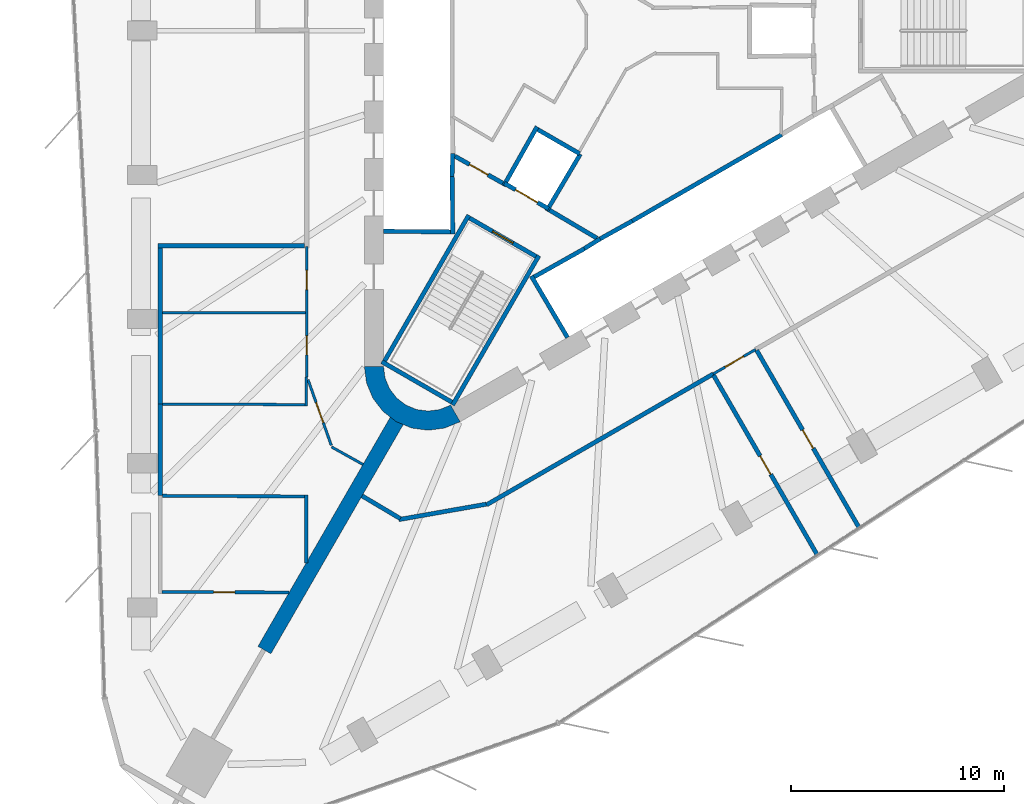
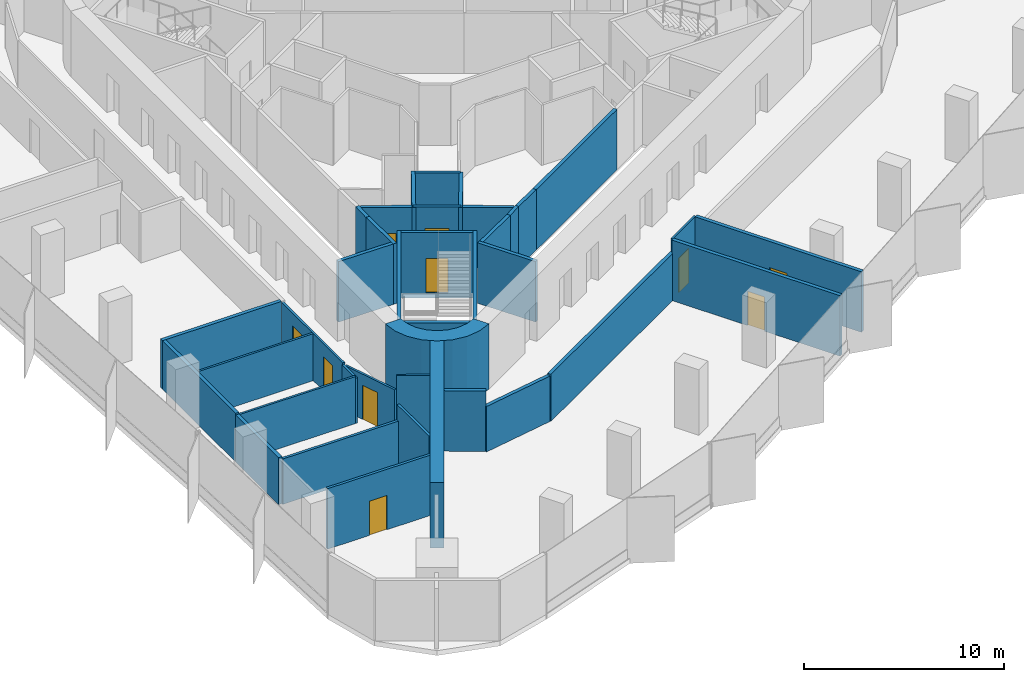
# One storey, part 8 of 13: 38 walls, 10 doors, 10 openings.
"""IFC4 building model written with IfcOpenShell, lengths in metres."""

from ifc_helpers import new_model, si_unit, direction, frame, frame_2d, origin, place, context, subcontext, project, spatial, polyline, rectangle, outline, extrude, material, layer, layer_set, type_object, element, fill, save


model = new_model("IFC4")

# Units and contexts
model_context = context("Model", 3, precision=1e-05, world=origin(), true_north=direction((0.0, 1.0)))
body_context = subcontext(model_context, "Body", "Model", "MODEL_VIEW")
ifc_project = project(units=[si_unit("LENGTHUNIT", "METRE"), si_unit("AREAUNIT", "SQUARE_METRE"), si_unit("VOLUMEUNIT", "CUBIC_METRE"), si_unit("PLANEANGLEUNIT", "RADIAN"), si_unit("MASSUNIT", "GRAM", prefix="KILO")], contexts=[model_context])

# Site, building, storey
site_placement = place(None, origin())
site = spatial("IfcSite", under=ifc_project, at=site_placement, CompositionType="ELEMENT")
building_placement = place(site_placement, origin())
building = spatial("IfcBuilding", under=site, at=building_placement, Name="Tanit Gate Tower", CompositionType="ELEMENT")
storey_placement = place(building_placement, frame((0.0, 0.0, 169.199951171875)))
storey = spatial("IfcBuildingStorey", under=building, at=storey_placement, Name="L36", CompositionType="ELEMENT", Elevation=169.199951171875)

# Walls
ifc_material_1 = material(Name="Concrete C50/60", Category="concrete")
ifc_layer_1 = layer(ifc_material_1, 0.699951171875)
ifc_layer_set_1 = layer_set([ifc_layer_1], Name="BUTTRESS FIN 700 C50/60")
wall_type_1 = type_object("IfcWallType", Name="BUTTRESS FIN 700 C50/60", PredefinedType="SHEAR", material=ifc_layer_set_1)
wall_1_placement = place(storey_placement, frame((-10.574951171875, -18.31640625, 0.0), z_axis=(0.0, 0.0, 1.0), x_axis=(-0.499995558535, -0.86602796805, 0.0)))
element("IfcWall", 1, at=wall_1_placement, inside=storey, type_object=wall_type_1, Name="BUTTRESS FIN", PredefinedType="SHEAR", context=body_context, shape_type="SweptSolid", body=[
    extrude(rectangle(XDim=12.4326171875, YDim=0.699951171875, at=frame_2d((6.21630859375, 0.0))), origin(), (0.0, 0.0, 1.0), 4.0),
])
ifc_material_2 = material(Name="Concrete C50/60", Category="concrete")
ifc_layer_2 = layer(ifc_material_2, 0.89990234375)
ifc_layer_set_2 = layer_set([ifc_layer_2], Name="CORE WALL 900 C50/60")
wall_type_2 = type_object("IfcWallType", Name="CORE WALL 900 C50/60", PredefinedType="SHEAR", material=ifc_layer_set_2)
wall_2_placement = place(storey_placement, origin())
element("IfcWall", 2, at=wall_2_placement, inside=storey, type_object=wall_type_2, Name="CORE WALL CORNER", PredefinedType="SHEAR", context=body_context, shape_type="SweptSolid", body=[
    extrude(outline(polyline([(-12.10009765625, -15.76171875), (-11.997802734375, -16.5380859375), (-11.697998046875, -17.26171875), (-11.22119140625, -17.883056640625), (-10.60009765625, -18.359619140625), (-9.87646484375, -18.659423828125), (-9.10009765625, -18.76171875), (-8.323486328125, -18.659423828125), (-7.60009765625, -18.359619140625), (-8.050048828125, -17.580322265625), (-8.556396484375, -17.7900390625), (-9.10009765625, -17.86181640625), (-9.6435546875, -17.7900390625), (-10.14990234375, -17.580322265625), (-10.5849609375, -17.24658203125), (-10.918701171875, -16.811767578125), (-11.12841796875, -16.30517578125), (-11.199951171875, -15.76171875), (-12.10009765625, -15.76171875)])), origin(), (0.0, 0.0, 1.0), 4.0),
])
ifc_material_3 = material(Name="Fire-rated gypsum board partition")
ifc_layer_3 = layer(ifc_material_3, 0.199951171875)
ifc_layer_set_3 = layer_set([ifc_layer_3], Name="INT-WALL-COMPARTMENT")
wall_type_3 = type_object("IfcWallType", Name="INT-WALL-COMPARTMENT", PredefinedType="PARTITIONING", material=ifc_layer_set_3)
wall_3_placement = place(storey_placement, frame((-3.400634765625, -8.43017578125, 0.0), z_axis=(0.0, 0.0, 1.0), x_axis=(0.860615607571, -0.509255118781, 0.0)))
element("IfcWall", 3, at=wall_3_placement, inside=storey, type_object=wall_type_3, Name="Wall Compartment W063", PredefinedType="PARTITIONING", context=body_context, shape_type="SweptSolid", body=[
    extrude(rectangle(XDim=2.58056640625, YDim=0.199951171875, at=frame_2d((1.290283203125, 0.0))), origin(), (0.0, 0.0, 1.0), 3.699951171875),
])

# Wall, opening, door
wall_4_placement = place(storey_placement, frame((-7.849365234375, -5.893798828125, 0.0), z_axis=(0.0, 0.0, 1.0), x_axis=(0.871363259478, -0.490638431059, 0.0)))
wall_4 = element("IfcWall", 4, at=wall_4_placement, inside=storey, type_object=wall_type_3, Name="Wall Compartment W064", PredefinedType="PARTITIONING", context=body_context, shape_type="SweptSolid", body=[
    extrude(rectangle(XDim=2.5810546875, YDim=0.199951171875, at=frame_2d((1.29052734375, 0.0))), origin(), (0.0, 0.0, 1.0), 3.699951171875),
])
opening_1_placement = place(wall_4_placement, frame((0.79052734375, 0.0, 0.0)))
opening_1 = element("IfcOpeningElement", 5, at=opening_1_placement, cuts=wall_4, Name="Opening F10-S09-08", PredefinedType="OPENING", context=body_context, shape_type="SweptSolid", body=[
    extrude(rectangle(XDim=1.0, YDim=2.10009765625, at=frame_2d((0.5, 1.050048828125))), frame((0.0, 0.10986328125, 0.0), z_axis=(0.0, -1.0, 0.0), x_axis=(1.0, 0.0, 0.0)), (0.0, 0.0, 1.0), 0.219970703125),
])
ifc_material_4 = material(Name="Fire-rated steel door leaf", Category="steel")
door_type_1 = type_object("IfcDoorType", Name="INT-DOOR-FIRE-1000", OperationType="NOTDEFINED", PredefinedType="USERDEFINED", material=ifc_material_4)
door_1_placement = place(opening_1_placement, origin())
door_1 = element("IfcDoor", 6, at=door_1_placement, inside=storey, type_object=door_type_1, Name="Door F10-S09-08", ObjectType="FIRE DOOR", OperationType="SINGLE_SWING_LEFT", OverallHeight=2.10009765625, OverallWidth=1.0, PredefinedType="USERDEFINED", context=body_context, shape_type="SweptSolid", body=[
    extrude(rectangle(XDim=1.0, YDim=2.10009765625, at=frame_2d((0.5, 1.050048828125))), frame((0.0, 0.02490234375, 0.0), z_axis=(0.0, -1.0, 0.0), x_axis=(1.0, 0.0, 0.0)), (0.0, 0.0, 1.0), 0.050048828125),
])
fill(opening_1, door_1)

# Walls
wall_5_placement = place(storey_placement, frame((-6.3662109375, -22.26611328125, 0.0), z_axis=(0.0, 0.0, 1.0), x_axis=(0.866024234898, 0.500002024564, 0.0)))
element("IfcWall", 7, at=wall_5_placement, inside=storey, type_object=wall_type_3, Name="Wall Compartment W108", PredefinedType="PARTITIONING", context=body_context, shape_type="SweptSolid", body=[
    extrude(rectangle(XDim=12.29638671875, YDim=0.199951171875, at=frame_2d((6.148193359375, 0.0))), origin(), (0.0, 0.0, 1.0), 2.880126953125),
])
wall_6_placement = place(storey_placement, frame((-10.479736328125, -22.956787109375, 0.0), z_axis=(0.0, 0.0, 1.0), x_axis=(0.984812459939, 0.173621481242, 0.0)))
element("IfcWall", 8, at=wall_6_placement, inside=storey, type_object=wall_type_3, Name="Wall Compartment W109", PredefinedType="PARTITIONING", context=body_context, shape_type="SweptSolid", body=[
    extrude(rectangle(XDim=4.1650390625, YDim=0.199951171875, at=frame_2d((2.08251953125, 0.0))), origin(), (0.0, 0.0, 1.0), 2.780029296875),
])
wall_7_placement = place(storey_placement, frame((-12.20703125, -21.84326171875, 0.0), z_axis=(0.0, 0.0, 1.0), x_axis=(0.859912345357, -0.510441728606, 0.0)))
element("IfcWall", 9, at=wall_7_placement, inside=storey, type_object=wall_type_3, Name="Wall Compartment W110", PredefinedType="PARTITIONING", context=body_context, shape_type="SweptSolid", body=[
    extrude(rectangle(XDim=2.093017578125, YDim=0.199951171875, at=frame_2d((1.04638671875, 0.0))), origin(), (0.0, 0.0, 1.0), 3.699951171875),
])
wall_8_placement = place(storey_placement, frame((-14.89990234375, -10.10009765625, 0.0), z_axis=(0.0, 0.0, 1.0), x_axis=(-1.0, 0.0, 0.0)))
element("IfcWall", 10, at=wall_8_placement, inside=storey, type_object=wall_type_3, Name="Wall Compartment W115", PredefinedType="PARTITIONING", context=body_context, shape_type="SweptSolid", body=[
    extrude(rectangle(XDim=6.880126953125, YDim=0.199951171875, at=frame_2d((3.43994140625, 0.0))), origin(), (0.0, 0.0, 1.0), 2.97998046875),
])
wall_9_placement = place(storey_placement, frame((-21.679931640625, -21.8330078125, 0.0), z_axis=(0.0, 0.0, 1.0), x_axis=(0.0, 1.0, 0.0)))
element("IfcWall", 11, at=wall_9_placement, inside=storey, type_object=wall_type_3, Name="Wall Compartment W118", PredefinedType="PARTITIONING", context=body_context, shape_type="SweptSolid", body=[
    extrude(rectangle(XDim=4.302490234375, YDim=0.199951171875, at=frame_2d((2.1513671875, 0.0))), origin(), (0.0, 0.0, 1.0), 2.880126953125),
])
wall_10_placement = place(storey_placement, frame((-21.679931640625, -17.530517578125, 0.0), z_axis=(0.0, 0.0, 1.0), x_axis=(0.0, 1.0, 0.0)))
element("IfcWall", 12, at=wall_10_placement, inside=storey, type_object=wall_type_3, Name="Wall Compartment W117", PredefinedType="PARTITIONING", context=body_context, shape_type="SweptSolid", body=[
    extrude(rectangle(XDim=7.33056640625, YDim=0.199951171875, at=frame_2d((3.665283203125, 0.0))), origin(), (0.0, 0.0, 1.0), 2.97998046875),
])

# Wall, opening, door
wall_11_placement = place(storey_placement, frame((11.134033203125, -23.344482421875, 0.0), z_axis=(0.0, 0.0, 1.0), x_axis=(-0.50000792458, 0.866020828478, 0.0)))
wall_11 = element("IfcWall", 13, at=wall_11_placement, inside=storey, type_object=wall_type_3, Name="Wall Compartment W127", PredefinedType="PARTITIONING", context=body_context, shape_type="SweptSolid", body=[
    extrude(rectangle(XDim=9.623779296875, YDim=0.199951171875, at=frame_2d((4.81201171875, 0.0))), origin(), (0.0, 0.0, 1.0), 3.699951171875),
])
opening_2_placement = place(wall_11_placement, frame((4.31201171875, 0.0, 0.0)))
opening_2 = element("IfcOpeningElement", 14, at=opening_2_placement, cuts=wall_11, Name="Opening F10-S09-28", PredefinedType="OPENING", context=body_context, shape_type="SweptSolid", body=[
    extrude(rectangle(XDim=1.0, YDim=2.10009765625, at=frame_2d((0.5, 1.050048828125))), frame((0.0, 0.10986328125, 0.0), z_axis=(0.0, -1.0, 0.0), x_axis=(1.0, 0.0, 0.0)), (0.0, 0.0, 1.0), 0.219970703125),
])
door_2_placement = place(opening_2_placement, origin())
door_2 = element("IfcDoor", 15, at=door_2_placement, inside=storey, type_object=door_type_1, Name="Door F10-S09-28", ObjectType="FIRE DOOR", OperationType="SINGLE_SWING_LEFT", OverallHeight=2.10009765625, OverallWidth=1.0, PredefinedType="USERDEFINED", context=body_context, shape_type="SweptSolid", body=[
    extrude(rectangle(XDim=1.0, YDim=2.10009765625, at=frame_2d((0.5, 1.050048828125))), frame((0.0, 0.02490234375, 0.0), z_axis=(0.0, -1.0, 0.0), x_axis=(1.0, 0.0, 0.0)), (0.0, 0.0, 1.0), 0.050048828125),
])
fill(opening_2, door_2)

wall_12_placement = place(storey_placement, frame((4.29541015625, -16.179931640625, 0.0), z_axis=(0.0, 0.0, 1.0), x_axis=(0.500010870188, -0.866019127788, 0.0)))
wall_12 = element("IfcWall", 16, at=wall_12_placement, inside=storey, type_object=wall_type_3, Name="Wall Compartment W128", PredefinedType="PARTITIONING", context=body_context, shape_type="SweptSolid", body=[
    extrude(rectangle(XDim=9.745361328125, YDim=0.199951171875, at=frame_2d((4.87255859375, 0.0))), origin(), (0.0, 0.0, 1.0), 3.699951171875),
])
opening_3_placement = place(wall_12_placement, frame((4.372802734375, 0.0, 0.0)))
opening_3 = element("IfcOpeningElement", 17, at=opening_3_placement, cuts=wall_12, Name="Opening F10-S09-29", PredefinedType="OPENING", context=body_context, shape_type="SweptSolid", body=[
    extrude(rectangle(XDim=1.0, YDim=2.10009765625, at=frame_2d((0.5, 1.050048828125))), frame((0.0, 0.10986328125, 0.0), z_axis=(0.0, -1.0, 0.0), x_axis=(1.0, 0.0, 0.0)), (0.0, 0.0, 1.0), 0.219970703125),
])
door_3_placement = place(opening_3_placement, origin())
door_3 = element("IfcDoor", 18, at=door_3_placement, inside=storey, type_object=door_type_1, Name="Door F10-S09-29", ObjectType="FIRE DOOR", OperationType="SINGLE_SWING_LEFT", OverallHeight=2.10009765625, OverallWidth=1.0, PredefinedType="USERDEFINED", context=body_context, shape_type="SweptSolid", body=[
    extrude(rectangle(XDim=1.0, YDim=2.10009765625, at=frame_2d((0.5, 1.050048828125))), frame((0.0, 0.02490234375, 0.0), z_axis=(0.0, -1.0, 0.0), x_axis=(1.0, 0.0, 0.0)), (0.0, 0.0, 1.0), 0.050048828125),
])
fill(opening_3, door_3)

# Wall, openings, doors
ifc_material_5 = material(Name="Gypsum board partition")
ifc_layer_4 = layer(ifc_material_5, 0.1201171875)
ifc_layer_set_4 = layer_set([ifc_layer_4], Name="INT-WALL-PARTITION")
wall_type_4 = type_object("IfcWallType", Name="INT-WALL-PARTITION", PredefinedType="PARTITIONING", material=ifc_layer_set_4)
wall_13_placement = place(storey_placement, frame((-14.800048828125, -10.1298828125, 0.0), z_axis=(0.0, 0.0, 1.0), x_axis=(0.0, -1.0, 0.0)))
wall_13 = element("IfcWall", 19, at=wall_13_placement, inside=storey, type_object=wall_type_4, Name="Wall Partition W093", PredefinedType="PARTITIONING", context=body_context, shape_type="SweptSolid", body=[
    extrude(rectangle(XDim=6.138427734375, YDim=0.1201171875, at=frame_2d((3.0693359375, 0.0))), origin(), (0.0, 0.0, 1.0), 2.880126953125),
])
opening_4_placement = place(wall_13_placement, frame((1.127197265625, 0.0, 0.0)))
opening_4 = element("IfcOpeningElement", 20, at=opening_4_placement, cuts=wall_13, Name="Opening D09-S09-20", PredefinedType="OPENING", context=body_context, shape_type="SweptSolid", body=[
    extrude(rectangle(XDim=0.89990234375, YDim=2.10009765625, at=frame_2d((0.449951171875, 1.050048828125))), frame((0.0, 0.070068359375, 0.0), z_axis=(0.0, -1.0, 0.0), x_axis=(1.0, 0.0, 0.0)), (0.0, 0.0, 1.0), 0.14013671875),
])
opening_5_placement = place(wall_13_placement, frame((4.1962890625, 0.0, 0.0)))
opening_5 = element("IfcOpeningElement", 21, at=opening_5_placement, cuts=wall_13, Name="Opening D09-S09-21", PredefinedType="OPENING", context=body_context, shape_type="SweptSolid", body=[
    extrude(rectangle(XDim=0.89990234375, YDim=2.10009765625, at=frame_2d((0.449951171875, 1.050048828125))), frame((0.0, 0.070068359375, 0.0), z_axis=(0.0, -1.0, 0.0), x_axis=(1.0, 0.0, 0.0)), (0.0, 0.0, 1.0), 0.14013671875),
])
ifc_material_6 = material(Name="Timber door leaf", Category="wood")
door_type_2 = type_object("IfcDoorType", Name="INT-DOOR-SINGLE-900", OperationType="NOTDEFINED", PredefinedType="NOTDEFINED", material=ifc_material_6)
door_4_placement = place(opening_4_placement, origin())
door_4 = element("IfcDoor", 22, at=door_4_placement, inside=storey, type_object=door_type_2, Name="Door D09-S09-20", OperationType="SINGLE_SWING_LEFT", OverallHeight=2.10009765625, OverallWidth=0.89990234375, PredefinedType="NOTDEFINED", context=body_context, shape_type="SweptSolid", body=[
    extrude(rectangle(XDim=0.89990234375, YDim=2.10009765625, at=frame_2d((0.449951171875, 1.050048828125))), frame((0.0, 0.02490234375, 0.0), z_axis=(0.0, -1.0, 0.0), x_axis=(1.0, 0.0, 0.0)), (0.0, 0.0, 1.0), 0.050048828125),
])
fill(opening_4, door_4)
door_5_placement = place(opening_5_placement, origin())
door_5 = element("IfcDoor", 23, at=door_5_placement, inside=storey, type_object=door_type_2, Name="Door D09-S09-21", OperationType="SINGLE_SWING_RIGHT", OverallHeight=2.10009765625, OverallWidth=0.89990234375, PredefinedType="NOTDEFINED", context=body_context, shape_type="SweptSolid", body=[
    extrude(rectangle(XDim=0.89990234375, YDim=2.10009765625, at=frame_2d((0.449951171875, 1.050048828125))), frame((0.0, 0.02490234375, 0.0), z_axis=(0.0, -1.0, 0.0), x_axis=(1.0, 0.0, 0.0)), (0.0, 0.0, 1.0), 0.050048828125),
])
fill(opening_5, door_5)

# Wall
wall_14_placement = place(storey_placement, frame((-13.64111328125, -19.54443359375, 0.0), z_axis=(0.0, 0.0, 1.0), x_axis=(0.873339078614, -0.487112773149, 0.0)))
element("IfcWall", 24, at=wall_14_placement, inside=storey, type_object=wall_type_4, Name="Wall Partition W095", PredefinedType="PARTITIONING", context=body_context, shape_type="SweptSolid", body=[
    extrude(rectangle(XDim=1.691650390625, YDim=0.1201171875, at=frame_2d((0.845703125, 0.0))), origin(), (0.0, 0.0, 1.0), 3.699951171875),
])

# Wall, opening, door
wall_15_placement = place(storey_placement, frame((-14.74267578125, -16.393798828125, 0.0), z_axis=(0.0, 0.0, 1.0), x_axis=(0.334279115597, -0.942474123186, 0.0)))
wall_15 = element("IfcWall", 25, at=wall_15_placement, inside=storey, type_object=wall_type_4, Name="Wall Partition W096", PredefinedType="PARTITIONING", context=body_context, shape_type="SweptSolid", body=[
    extrude(rectangle(XDim=3.263916015625, YDim=0.1201171875, at=frame_2d((1.6318359375, 0.0))), origin(), (0.0, 0.0, 1.0), 2.780029296875),
])
opening_6_placement = place(wall_15_placement, frame((1.1318359375, 0.0, 0.0)))
opening_6 = element("IfcOpeningElement", 26, at=opening_6_placement, cuts=wall_15, Name="Opening D10-S09-22", PredefinedType="OPENING", context=body_context, shape_type="SweptSolid", body=[
    extrude(rectangle(XDim=1.0, YDim=2.10009765625, at=frame_2d((0.5, 1.050048828125))), frame((0.0, 0.070068359375, 0.0), z_axis=(0.0, -1.0, 0.0), x_axis=(1.0, 0.0, 0.0)), (0.0, 0.0, 1.0), 0.14013671875),
])
ifc_material_7 = material(Name="Timber door leaf", Category="wood")
door_type_3 = type_object("IfcDoorType", Name="INT-DOOR-SINGLE-1000", OperationType="NOTDEFINED", PredefinedType="NOTDEFINED", material=ifc_material_7)
door_6_placement = place(opening_6_placement, origin())
door_6 = element("IfcDoor", 27, at=door_6_placement, inside=storey, type_object=door_type_3, Name="Door D10-S09-22", OperationType="SINGLE_SWING_RIGHT", OverallHeight=2.10009765625, OverallWidth=1.0, PredefinedType="NOTDEFINED", context=body_context, shape_type="SweptSolid", body=[
    extrude(rectangle(XDim=1.0, YDim=2.10009765625, at=frame_2d((0.5, 1.050048828125))), frame((0.0, 0.02490234375, 0.0), z_axis=(0.0, -1.0, 0.0), x_axis=(1.0, 0.0, 0.0)), (0.0, 0.0, 1.0), 0.050048828125),
])
fill(opening_6, door_6)

wall_16_placement = place(storey_placement, frame((4.28271484375, -16.117919921875, 0.0), z_axis=(0.0, 0.0, 1.0), x_axis=(0.866053019151, 0.499952165731, 0.0)))
wall_16 = element("IfcWall", 28, at=wall_16_placement, inside=storey, type_object=wall_type_4, Name="Wall Partition W104", PredefinedType="PARTITIONING", context=body_context, shape_type="SweptSolid", body=[
    extrude(rectangle(XDim=2.300048828125, YDim=0.1201171875, at=frame_2d((1.14990234375, 0.0))), origin(), (0.0, 0.0, 1.0), 3.699951171875),
])
opening_7_placement = place(wall_16_placement, frame((0.64990234375, 0.0, 0.0)))
opening_7 = element("IfcOpeningElement", 29, at=opening_7_placement, cuts=wall_16, Name="Opening D10-S09-19", PredefinedType="OPENING", context=body_context, shape_type="SweptSolid", body=[
    extrude(rectangle(XDim=1.0, YDim=2.10009765625, at=frame_2d((0.5, 1.050048828125))), frame((0.0, 0.070068359375, 0.0), z_axis=(0.0, -1.0, 0.0), x_axis=(1.0, 0.0, 0.0)), (0.0, 0.0, 1.0), 0.14013671875),
])
door_7_placement = place(opening_7_placement, origin())
door_7 = element("IfcDoor", 30, at=door_7_placement, inside=storey, type_object=door_type_3, Name="Door D10-S09-19", OperationType="SINGLE_SWING_RIGHT", OverallHeight=2.10009765625, OverallWidth=1.0, PredefinedType="NOTDEFINED", context=body_context, shape_type="SweptSolid", body=[
    extrude(rectangle(XDim=1.0, YDim=2.10009765625, at=frame_2d((0.5, 1.050048828125))), frame((0.0, 0.02490234375, 0.0), z_axis=(0.0, -1.0, 0.0), x_axis=(1.0, 0.0, 0.0)), (0.0, 0.0, 1.0), 0.050048828125),
])
fill(opening_7, door_7)

# Walls
wall_17_placement = place(storey_placement, frame((-14.830078125, -13.25439453125, 0.0), z_axis=(0.0, 0.0, 1.0), x_axis=(-1.0, 0.0, 0.0)))
element("IfcWall", 31, at=wall_17_placement, inside=storey, type_object=wall_type_4, Name="Wall Partition W129", PredefinedType="PARTITIONING", context=body_context, shape_type="SweptSolid", body=[
    extrude(rectangle(XDim=6.75, YDim=0.1201171875, at=frame_2d((3.375, 0.0))), origin(), (0.0, 0.0, 1.0), 2.880126953125),
])
wall_18_placement = place(storey_placement, frame((-14.830078125, -17.62060546875, 0.0), z_axis=(0.0, 0.0, 1.0), x_axis=(0.0, 1.0, 0.0)))
element("IfcWall", 32, at=wall_18_placement, inside=storey, type_object=wall_type_4, Name="Wall Partition W130", PredefinedType="PARTITIONING", context=body_context, shape_type="SweptSolid", body=[
    extrude(rectangle(XDim=1.352294921875, YDim=0.1201171875, at=frame_2d((0.67626953125, 0.0))), origin(), (0.0, 0.0, 1.0), 2.780029296875),
])
wall_19_placement = place(storey_placement, frame((-14.889892578125, -17.560302734375, 0.0), z_axis=(0.0, 0.0, 1.0), x_axis=(-0.999990411956, 0.004379040595, 0.0)))
element("IfcWall", 33, at=wall_19_placement, inside=storey, type_object=wall_type_4, Name="Wall Partition W131", PredefinedType="PARTITIONING", context=body_context, shape_type="SweptSolid", body=[
    extrude(rectangle(XDim=6.690185546875, YDim=0.1201171875, at=frame_2d((3.34521484375, 0.0))), origin(), (0.0, 0.0, 1.0), 2.880126953125),
])

# Wall, opening, door
ifc_material_8 = material(Name="Fire-rated gypsum board partition")
ifc_layer_5 = layer(ifc_material_8, 0.14990234375)
ifc_layer_set_5 = layer_set([ifc_layer_5], Name="INT-WALL-RISER")
wall_type_5 = type_object("IfcWallType", Name="INT-WALL-RISER", PredefinedType="PLUMBINGWALL", material=ifc_layer_set_5)
wall_20_placement = place(storey_placement, frame((-21.60498046875, -26.350341796875, 0.0), z_axis=(0.0, 0.0, 1.0), x_axis=(0.999989138364, -0.004660810408, 0.0)))
wall_20 = element("IfcWall", 34, at=wall_20_placement, inside=storey, type_object=wall_type_5, Name="Wall Riser W120", PredefinedType="PLUMBINGWALL", context=body_context, shape_type="SweptSolid", body=[
    extrude(rectangle(XDim=5.971435546875, YDim=0.14990234375, at=frame_2d((2.98583984375, 0.0))), origin(), (0.0, 0.0, 1.0), 3.699951171875),
])
opening_8_placement = place(wall_20_placement, frame((2.42822265625, 0.0, 0.0)))
opening_8 = element("IfcOpeningElement", 35, at=opening_8_placement, cuts=wall_20, Name="Opening F10-S09-23", PredefinedType="OPENING", context=body_context, shape_type="SweptSolid", body=[
    extrude(rectangle(XDim=1.0, YDim=2.10009765625, at=frame_2d((0.5, 1.050048828125))), frame((0.0, 0.0849609375, 0.0), z_axis=(0.0, -1.0, 0.0), x_axis=(1.0, 0.0, 0.0)), (0.0, 0.0, 1.0), 0.169921875),
])
door_8_placement = place(opening_8_placement, origin())
door_8 = element("IfcDoor", 36, at=door_8_placement, inside=storey, type_object=door_type_1, Name="Door F10-S09-23", ObjectType="FIRE DOOR", OperationType="SINGLE_SWING_LEFT", OverallHeight=2.10009765625, OverallWidth=1.0, PredefinedType="USERDEFINED", context=body_context, shape_type="SweptSolid", body=[
    extrude(rectangle(XDim=1.0, YDim=2.10009765625, at=frame_2d((0.5, 1.050048828125))), frame((0.0, 0.02490234375, 0.0), z_axis=(0.0, -1.0, 0.0), x_axis=(1.0, 0.0, 0.0)), (0.0, 0.0, 1.0), 0.050048828125),
])
fill(opening_8, door_8)

# Walls
wall_21_placement = place(storey_placement, frame((-14.830078125, -24.986328125, 0.0), z_axis=(0.0, 0.0, 1.0), x_axis=(0.0, 1.0, 0.0)))
element("IfcWall", 37, at=wall_21_placement, inside=storey, type_object=wall_type_5, Name="Wall Riser W132", PredefinedType="PLUMBINGWALL", context=body_context, shape_type="SweptSolid", body=[
    extrude(rectangle(XDim=3.190673828125, YDim=0.14990234375, at=frame_2d((1.59521484375, 0.0))), origin(), (0.0, 0.0, 1.0), 3.699951171875),
])
wall_22_placement = place(storey_placement, frame((-21.580078125, -21.841064453125, 0.0), z_axis=(0.0, 0.0, 1.0), x_axis=(0.999990368422, -0.004388970565, 0.0)))
element("IfcWall", 38, at=wall_22_placement, inside=storey, type_object=wall_type_5, Name="Wall Riser W133", PredefinedType="PLUMBINGWALL", context=body_context, shape_type="SweptSolid", body=[
    extrude(rectangle(XDim=6.675048828125, YDim=0.14990234375, at=frame_2d((3.33740234375, 0.0))), origin(), (0.0, 0.0, 1.0), 2.780029296875),
])
ifc_material_9 = material(Name="Gypsum shaft wall system")
ifc_layer_6 = layer(ifc_material_9, 0.199951171875)
ifc_layer_set_6 = layer_set([ifc_layer_6], Name="INT-WALL-SHAFT")
wall_type_6 = type_object("IfcWallType", Name="INT-WALL-SHAFT", PredefinedType="PLUMBINGWALL", material=ifc_layer_set_6)
wall_23_placement = place(storey_placement, frame((-7.949951171875, -5.7724609375, 0.0), z_axis=(0.0, 0.0, 1.0), x_axis=(-0.030803413295, -0.999525462272, 0.0)))
element("IfcWall", 39, at=wall_23_placement, inside=storey, type_object=wall_type_6, Name="Wall Shaft W008", PredefinedType="PLUMBINGWALL", context=body_context, shape_type="SweptSolid", body=[
    extrude(rectangle(XDim=1.077880859375, YDim=0.199951171875, at=frame_2d((0.5390625, 0.0))), origin(), (0.0, 0.0, 1.0), 3.699951171875),
])
wall_24_placement = place(storey_placement, frame((-7.97900390625, -6.85009765625, 0.0), z_axis=(0.0, 0.0, 1.0), x_axis=(0.011121475088, -0.999938154483, 0.0)))
element("IfcWall", 40, at=wall_24_placement, inside=storey, type_object=wall_type_6, Name="Wall Shaft W010", PredefinedType="PLUMBINGWALL", context=body_context, shape_type="SweptSolid", body=[
    extrude(rectangle(XDim=2.7001953125, YDim=0.199951171875, at=frame_2d((1.35009765625, 0.0))), origin(), (0.0, 0.0, 1.0), 3.699951171875),
])
wall_25_placement = place(storey_placement, frame((-8.050048828125, -9.448974609375, 0.0), z_axis=(0.0, 0.0, 1.0), x_axis=(-0.999957467379, 0.009222983926, 0.0)))
element("IfcWall", 41, at=wall_25_placement, inside=storey, type_object=wall_type_6, Name="Wall Shaft W011", PredefinedType="PLUMBINGWALL", context=body_context, shape_type="SweptSolid", body=[
    extrude(rectangle(XDim=3.150146484375, YDim=0.199951171875, at=frame_2d((1.5751953125, 0.0))), origin(), (0.0, 0.0, 1.0), 3.699951171875),
])
wall_26_placement = place(storey_placement, frame((0.482666015625, -8.935791015625, 0.0), z_axis=(0.0, 0.0, 1.0), x_axis=(0.866030989016, 0.499990325971, 0.0)))
element("IfcWall", 42, at=wall_26_placement, inside=storey, type_object=wall_type_6, Name="Wall Shaft W023", PredefinedType="PLUMBINGWALL", context=body_context, shape_type="SweptSolid", body=[
    extrude(rectangle(XDim=8.099853515625, YDim=0.199951171875, at=frame_2d((4.0498046875, 0.0))), origin(), (0.0, 0.0, 1.0), 3.699951171875),
])
wall_27_placement = place(storey_placement, frame((-2.557861328125, -14.409423828125, 0.0), z_axis=(0.0, 0.0, 1.0), x_axis=(-0.507997497166, 0.861358544901, 0.0)))
element("IfcWall", 43, at=wall_27_placement, inside=storey, type_object=wall_type_6, Name="Wall Shaft W019", PredefinedType="PLUMBINGWALL", context=body_context, shape_type="SweptSolid", body=[
    extrude(rectangle(XDim=3.350341796875, YDim=0.199951171875, at=frame_2d((1.67529296875, 0.0))), origin(), (0.0, 0.0, 1.0), 3.699951171875),
])
wall_28_placement = place(storey_placement, frame((-1.7685546875, -10.23681640625, 0.0), z_axis=(0.0, 0.0, 1.0), x_axis=(-0.871534483978, -0.490334215854, 0.0)))
element("IfcWall", 44, at=wall_28_placement, inside=storey, type_object=wall_type_6, Name="Wall Shaft W020", PredefinedType="PLUMBINGWALL", context=body_context, shape_type="SweptSolid", body=[
    extrude(rectangle(XDim=2.7001953125, YDim=0.199951171875, at=frame_2d((1.35009765625, 0.0))), origin(), (0.0, 0.0, 1.0), 3.699951171875),
])
wall_29_placement = place(storey_placement, frame((-1.02392578125, -9.77099609375, 0.0), z_axis=(0.0, 0.0, 1.0), x_axis=(-0.850348075135, -0.526220629693, 0.0)))
element("IfcWall", 45, at=wall_29_placement, inside=storey, type_object=wall_type_6, Name="Wall Shaft W021", PredefinedType="PLUMBINGWALL", context=body_context, shape_type="SweptSolid", body=[
    extrude(rectangle(XDim=0.878173828125, YDim=0.199951171875, at=frame_2d((0.43896484375, 0.0))), origin(), (0.0, 0.0, 1.0), 3.699951171875),
])
wall_30_placement = place(storey_placement, frame((-1.130126953125, -9.831298828125, 0.0), z_axis=(0.0, 0.0, 1.0), x_axis=(0.874269620932, 0.485440655401, 0.0)))
element("IfcWall", 46, at=wall_30_placement, inside=storey, type_object=wall_type_6, Name="Wall Shaft W022", PredefinedType="PLUMBINGWALL", context=body_context, shape_type="SweptSolid", body=[
    extrude(rectangle(XDim=1.8447265625, YDim=0.199951171875, at=frame_2d((0.92236328125, 0.0))), origin(), (0.0, 0.0, 1.0), 3.699951171875),
])

# Wall, opening, door
wall_31_placement = place(storey_placement, frame((-3.44580078125, -8.3681640625, 0.0), z_axis=(0.0, 0.0, 1.0), x_axis=(-0.866024647952, 0.500001309137, 0.0)))
wall_31 = element("IfcWall", 47, at=wall_31_placement, inside=storey, type_object=wall_type_6, Name="Wall Shaft W045", PredefinedType="PLUMBINGWALL", context=body_context, shape_type="SweptSolid", body=[
    extrude(rectangle(XDim=2.39990234375, YDim=0.199951171875, at=frame_2d((1.199951171875, 0.0))), origin(), (0.0, 0.0, 1.0), 3.699951171875),
])
opening_9_placement = place(wall_31_placement, frame((0.60009765625, 0.0, 0.0)))
opening_9 = element("IfcOpeningElement", 48, at=opening_9_placement, cuts=wall_31, Name="Opening LDFL3-L36", PredefinedType="OPENING", context=body_context, shape_type="SweptSolid", body=[
    extrude(rectangle(XDim=1.199951171875, YDim=2.39990234375, at=frame_2d((0.60009765625, 1.199951171875))), frame((0.0, 0.10986328125, 0.0), z_axis=(0.0, -1.0, 0.0), x_axis=(1.0, 0.0, 0.0)), (0.0, 0.0, 1.0), 0.219970703125),
])
ifc_material_10 = material(Name="Stainless steel sliding door leaf", Category="steel")
door_type_4 = type_object("IfcDoorType", Name="INT-DOOR-LANDING-1200", OperationType="NOTDEFINED", PredefinedType="USERDEFINED", material=ifc_material_10)
door_9_placement = place(opening_9_placement, origin())
door_9 = element("IfcDoor", 49, at=door_9_placement, inside=storey, type_object=door_type_4, Name="Door LDFL3-L36", ObjectType="LANDING DOOR", OperationType="SLIDING_TO_LEFT", OverallHeight=2.39990234375, OverallWidth=1.199951171875, PredefinedType="USERDEFINED", context=body_context, shape_type="SweptSolid", body=[
    extrude(rectangle(XDim=1.199951171875, YDim=2.39990234375, at=frame_2d((0.60009765625, 1.199951171875))), frame((0.0, 0.02490234375, 0.0), z_axis=(0.0, -1.0, 0.0), x_axis=(1.0, 0.0, 0.0)), (0.0, 0.0, 1.0), 0.050048828125),
])
fill(opening_9, door_9)

# Walls
wall_32_placement = place(storey_placement, frame((-1.960693359375, -5.796142578125, 0.0), z_axis=(0.0, 0.0, 1.0), x_axis=(-0.508647062354, -0.860975125052, 0.0)))
element("IfcWall", 50, at=wall_32_placement, inside=storey, type_object=wall_type_6, Name="Wall Shaft W046", PredefinedType="PLUMBINGWALL", context=body_context, shape_type="SweptSolid", body=[
    extrude(rectangle(XDim=3.10009765625, YDim=0.199951171875, at=frame_2d((1.550048828125, 0.0))), origin(), (0.0, 0.0, 1.0), 3.699951171875),
])
wall_33_placement = place(storey_placement, frame((-3.989990234375, -4.509033203125, 0.0), z_axis=(0.0, 0.0, 1.0), x_axis=(-0.491358283181, -0.870957540612, 0.0)))
element("IfcWall", 51, at=wall_33_placement, inside=storey, type_object=wall_type_6, Name="Wall Shaft W047", PredefinedType="PLUMBINGWALL", context=body_context, shape_type="SweptSolid", body=[
    extrude(rectangle(XDim=3.200439453125, YDim=0.199951171875, at=frame_2d((1.60009765625, 0.0))), origin(), (0.0, 0.0, 1.0), 3.699951171875),
])
wall_34_placement = place(storey_placement, frame((-3.95263671875, -4.646240234375, 0.0), z_axis=(0.0, 0.0, 1.0), x_axis=(0.866065302921, -0.4999308863, 0.0)))
element("IfcWall", 52, at=wall_34_placement, inside=storey, type_object=wall_type_6, Name="Wall Shaft W048", PredefinedType="PLUMBINGWALL", context=body_context, shape_type="SweptSolid", body=[
    extrude(rectangle(XDim=2.264404296875, YDim=0.199951171875, at=frame_2d((1.13232421875, 0.0))), origin(), (0.0, 0.0, 1.0), 3.699951171875),
])
ifc_material_11 = material(Name="Concrete C40/50", Category="concrete")
ifc_layer_7 = layer(ifc_material_11, 0.199951171875)
ifc_layer_set_7 = layer_set([ifc_layer_7], Name="INT-WALL-STAIR")
wall_type_7 = type_object("IfcWallType", Name="INT-WALL-STAIR", PredefinedType="SHEAR", material=ifc_layer_set_7)
wall_35_placement = place(storey_placement, frame((-3.904541015625, -10.56298828125, -0.300048828125), z_axis=(0.0, 0.0, 1.0), x_axis=(-0.500012932018, -0.866017937352, 0.0)))
element("IfcWall", 53, at=wall_35_placement, inside=storey, type_object=wall_type_7, Name="Wall Stair W041", PredefinedType="SHEAR", context=body_context, shape_type="SweptSolid", body=[
    extrude(rectangle(XDim=8.099853515625, YDim=0.199951171875, at=frame_2d((4.0498046875, 0.0))), origin(), (0.0, 0.0, 1.0), 4.0),
])
wall_36_placement = place(storey_placement, frame((-11.281982421875, -15.541015625, -0.300048828125), z_axis=(0.0, 0.0, 1.0), x_axis=(0.866000483506, -0.500043160704, 0.0)))
element("IfcWall", 54, at=wall_36_placement, inside=storey, type_object=wall_type_7, Name="Wall Stair W042", PredefinedType="SHEAR", context=body_context, shape_type="SweptSolid", body=[
    extrude(rectangle(XDim=3.800048828125, YDim=0.199951171875, at=frame_2d((1.89990234375, 0.0))), origin(), (0.0, 0.0, 1.0), 4.0),
])
wall_37_placement = place(storey_placement, frame((-7.195556640625, -8.662841796875, -0.300048828125), z_axis=(0.0, 0.0, 1.0), x_axis=(-0.499997992926, -0.866026562566, 0.0)))
element("IfcWall", 55, at=wall_37_placement, inside=storey, type_object=wall_type_7, Name="Wall Stair W043", PredefinedType="SHEAR", context=body_context, shape_type="SweptSolid", body=[
    extrude(rectangle(XDim=7.89990234375, YDim=0.199951171875, at=frame_2d((3.949951171875, 0.0))), origin(), (0.0, 0.0, 1.0), 4.0),
])

# Wall, opening, door
wall_38_placement = place(storey_placement, frame((-4.041259765625, -10.599365234375, -0.300048828125), z_axis=(0.0, 0.0, 1.0), x_axis=(-0.866047807691, 0.499961193289, 0.0)))
wall_38 = element("IfcWall", 56, at=wall_38_placement, inside=storey, type_object=wall_type_7, Name="Wall Stair W044", PredefinedType="SHEAR", context=body_context, shape_type="SweptSolid", body=[
    extrude(rectangle(XDim=3.599853515625, YDim=0.199951171875, at=frame_2d((1.7998046875, 0.0))), origin(), (0.0, 0.0, 1.0), 4.0),
])
opening_10_placement = place(wall_38_placement, frame((1.25, 0.0, 0.300048828125)))
opening_10 = element("IfcOpeningElement", 57, at=opening_10_placement, cuts=wall_38, Name="Opening S11-S09-07", PredefinedType="OPENING", context=body_context, shape_type="SweptSolid", body=[
    extrude(rectangle(XDim=1.10009765625, YDim=2.10009765625, at=frame_2d((0.550048828125, 1.050048828125))), frame((0.0, 0.10986328125, 0.0), z_axis=(0.0, -1.0, 0.0), x_axis=(1.0, 0.0, 0.0)), (0.0, 0.0, 1.0), 0.219970703125),
])
ifc_material_12 = material(Name="Timber door leaf", Category="wood")
door_type_5 = type_object("IfcDoorType", Name="INT-DOOR-STAIR-1100", OperationType="NOTDEFINED", PredefinedType="USERDEFINED", material=ifc_material_12)
door_10_placement = place(opening_10_placement, origin())
door_10 = element("IfcDoor", 58, at=door_10_placement, inside=storey, type_object=door_type_5, Name="Door S11-S09-07", ObjectType="FIRE DOOR", OperationType="SINGLE_SWING_RIGHT", OverallHeight=2.10009765625, OverallWidth=1.10009765625, PredefinedType="USERDEFINED", context=body_context, shape_type="SweptSolid", body=[
    extrude(rectangle(XDim=1.10009765625, YDim=2.10009765625, at=frame_2d((0.550048828125, 1.050048828125))), frame((0.0, 0.02490234375, 0.0), z_axis=(0.0, -1.0, 0.0), x_axis=(1.0, 0.0, 0.0)), (0.0, 0.0, 1.0), 0.050048828125),
])
fill(opening_10, door_10)

save(model, "model.ifc")
